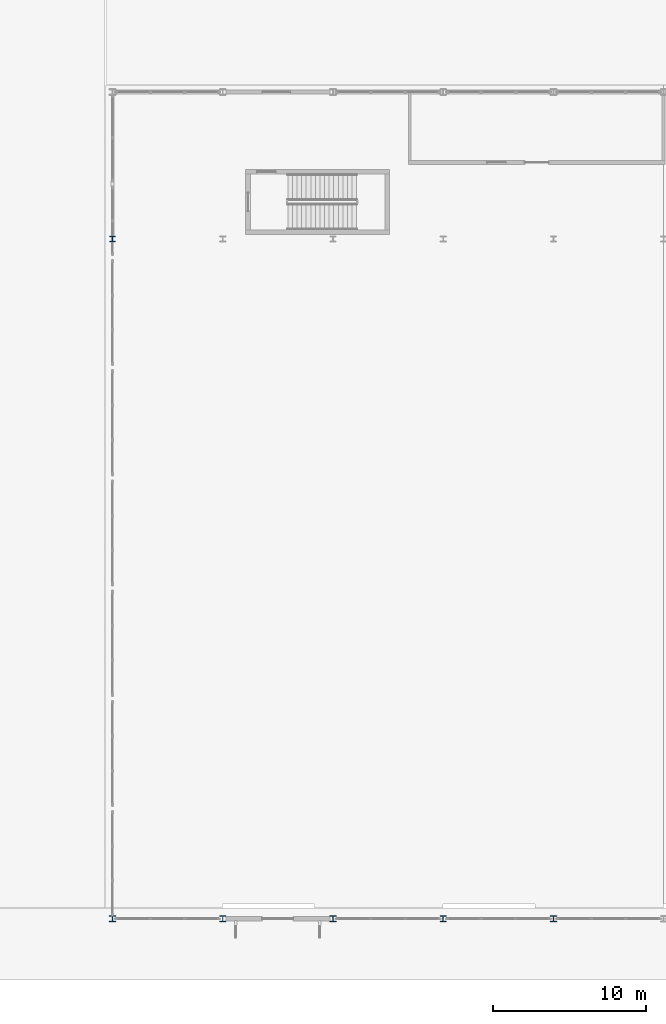
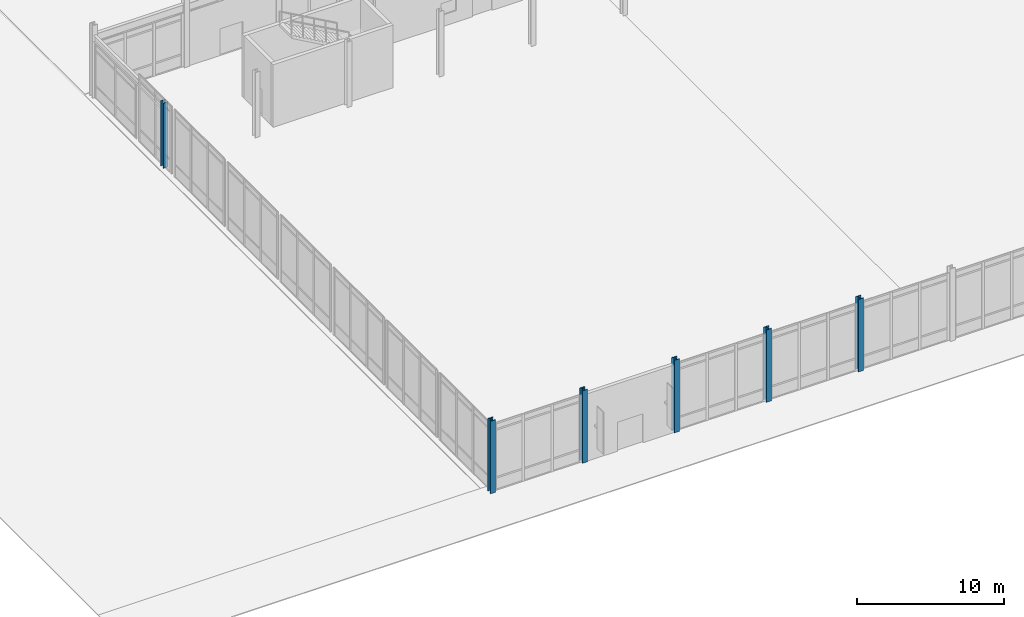
# One storey, part 1 of 104: 6 columns.
"""IFC4 building model written with IfcOpenShell, lengths in metres."""

from ifc_helpers import new_model, si_unit, direction, frame, origin, origin_2d, place, context, subcontext, project, spatial, i_section, extrude, material, material_profile, profile_set, type_object, element, save


model = new_model("IFC4")

# Units and contexts
model_context = context("Model", 3, precision=1e-05, world=origin(), true_north=direction((0.0, 1.0)))
body_context = subcontext(model_context, "Body", "Model", "MODEL_VIEW")
ifc_project = project(units=[si_unit("LENGTHUNIT", "METRE"), si_unit("AREAUNIT", "SQUARE_METRE"), si_unit("VOLUMEUNIT", "CUBIC_METRE"), si_unit("PLANEANGLEUNIT", "RADIAN"), si_unit("MASSUNIT", "GRAM", prefix="KILO")], contexts=[model_context])

# Site, building, storey
site_placement = place(None, origin())
site = spatial("IfcSite", under=ifc_project, at=site_placement, CompositionType="ELEMENT")
building_placement = place(site_placement, origin())
building = spatial("IfcBuilding", under=site, at=building_placement, Name="Vaelcorin Mobility Hub", CompositionType="ELEMENT")
storey_placement = place(building_placement, origin())
storey = spatial("IfcBuildingStorey", under=building, at=storey_placement, Name="L00", CompositionType="ELEMENT", Elevation=0.0)

# Columns
ifc_material = material(Name="Steel ASTM A992 Grade 50", Category="steel")
ifc_material_profile_1 = material_profile(ifc_material, i_section(OverallWidth=0.373046875, OverallDepth=0.373046875, WebThickness=0.016357421875, FlangeThickness=0.026123046875, FilletRadius=0.014892578125, at=origin_2d()), Name="W14X132")
ifc_profile_set_1 = profile_set([ifc_material_profile_1], Name="Steel ASTM A992 Grade 50")
column_type_1 = type_object("IfcColumnType", Name="COL-W14X132", PredefinedType="COLUMN", material=ifc_profile_set_1)
column_placement = place(storey_placement, frame((36.0, 50.39990234375, 0.0), z_axis=(0.0, 0.0, 1.0), x_axis=(1.0, 0.0, 0.0)))
element("IfcColumn", 1, at=column_placement, inside=storey, type_object=column_type_1, Name="Column V1-X01-gal L00", PredefinedType="COLUMN", context=body_context, shape_type="SweptSolid", body=[
    extrude(i_section(OverallWidth=0.373046875, OverallDepth=0.373046875, WebThickness=0.016357421875, FlangeThickness=0.026123046875, FilletRadius=0.014892578125, at=origin_2d()), origin(), (0.0, 0.0, 1.0), 5.39990234375),
])
ifc_material_profile_2 = material_profile(ifc_material, i_section(OverallWidth=0.404052734375, OverallDepth=0.406005859375, WebThickness=0.027099609375, FlangeThickness=0.043701171875, FilletRadius=0.014892578125, at=origin_2d()), Name="W14X233")
ifc_profile_set_2 = profile_set([ifc_material_profile_2], Name="Steel ASTM A992 Grade 50")
column_type_2 = type_object("IfcColumnType", Name="COL-W14X233", PredefinedType="COLUMN", material=ifc_profile_set_2)
for number, where, z_axis, x_axis, name in (
    (2, (36.0, 6.0, 0.0), (0.0, 0.0, 1.0), (1.0, 0.0, 0.0), "Column V1-X01-arch_s L00"),
    (3, (43.199951171875, 6.0, 0.0), (0.0, 0.0, 1.0), (1.0, 0.0, 0.0), "Column V1-X02-arch_s L00"),
    (4, (50.39990234375, 6.0, 0.0), (0.0, 0.0, 1.0), (1.0, 0.0, 0.0), "Column V1-X03-arch_s L00"),
    (5, (57.60009765625, 6.0, 0.0), (0.0, 0.0, 1.0), (1.0, 0.0, 0.0), "Column V1-X04-arch_s L00"),
    (6, (64.800048828125, 6.0, 0.0), (0.0, 0.0, 1.0), (1.0, 0.0, 0.0), "Column V1-X05-arch_s L00"),
):
    element("IfcColumn", number, at=place(storey_placement, frame(where, z_axis=z_axis, x_axis=x_axis)), inside=storey, type_object=column_type_2, Name=name, PredefinedType="COLUMN", context=body_context, shape_type="SweptSolid", body=[
        extrude(i_section(OverallWidth=0.404052734375, OverallDepth=0.406005859375, WebThickness=0.027099609375, FlangeThickness=0.043701171875, FilletRadius=0.014892578125, at=origin_2d()), origin(), (0.0, 0.0, 1.0), 6.0),
    ])

save(model, "model.ifc")
